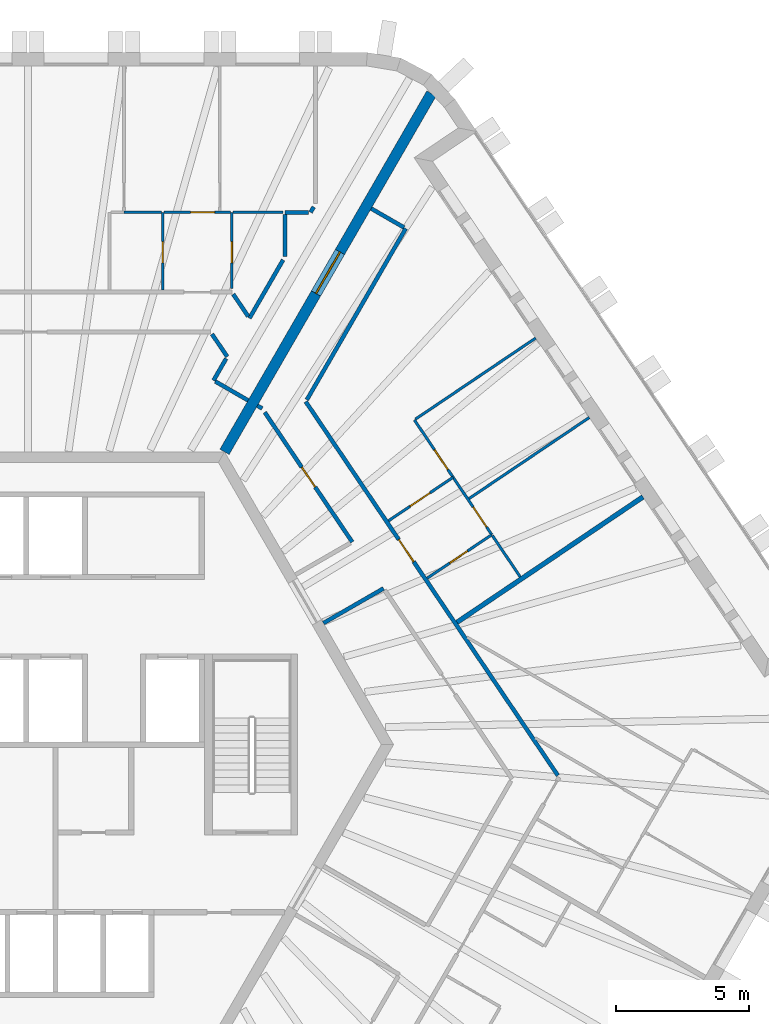
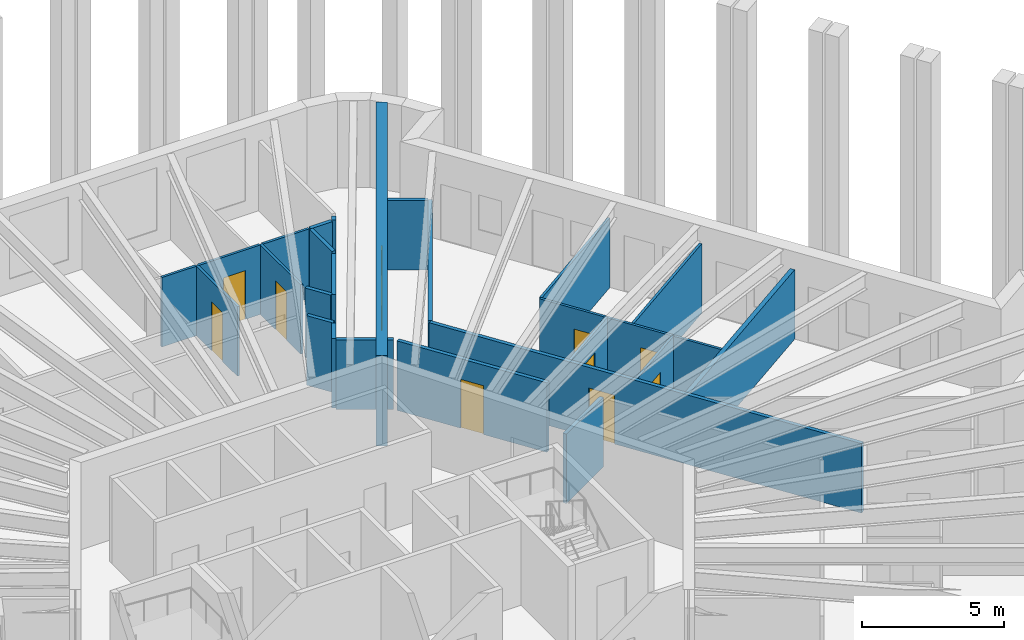
# One storey, part 10 of 13: 27 walls, 10 doors, 10 openings.
"""IFC4 building model written with IfcOpenShell, lengths in metres."""

from ifc_helpers import new_model, si_unit, direction, frame, frame_2d, origin, place, context, subcontext, project, spatial, rectangle, extrude, material, layer, layer_set, type_object, element, fill, save


model = new_model("IFC4")

# Units and contexts
model_context = context("Model", 3, precision=1e-05, world=origin(), true_north=direction((0.0, 1.0)))
body_context = subcontext(model_context, "Body", "Model", "MODEL_VIEW")
ifc_project = project(units=[si_unit("LENGTHUNIT", "METRE"), si_unit("AREAUNIT", "SQUARE_METRE"), si_unit("VOLUMEUNIT", "CUBIC_METRE"), si_unit("PLANEANGLEUNIT", "RADIAN"), si_unit("MASSUNIT", "GRAM", prefix="KILO")], contexts=[model_context])

# Site, building, storey
site_placement = place(None, origin())
site = spatial("IfcSite", under=ifc_project, at=site_placement, CompositionType="ELEMENT")
building_placement = place(site_placement, origin())
building = spatial("IfcBuilding", under=site, at=building_placement, Name="Tarnside Tower", CompositionType="ELEMENT")
storey_placement = place(building_placement, frame((0.0, 0.0, 267.89990234375)))
storey = spatial("IfcBuildingStorey", under=building, at=storey_placement, Name="L64", CompositionType="ELEMENT", Elevation=267.89990234375)

# Wall, opening, door
ifc_material_1 = material(Name="Gypsum board partition on steel studs", Category="steel")
ifc_layer_1 = layer(ifc_material_1, 0.10009765625)
ifc_layer_set_1 = layer_set([ifc_layer_1], Name="Bathroom wall 100")
wall_type_1 = type_object("IfcWallType", Name="Bathroom wall 100", PredefinedType="PARTITIONING", material=ifc_layer_set_1)
wall_1_placement = place(storey_placement, frame((4.026611328125, 20.0, 0.0), z_axis=(0.0, 0.0, 1.0), x_axis=(0.0, -1.0, 0.0)))
wall_1 = element("IfcWall", 1, at=wall_1_placement, inside=storey, type_object=wall_type_1, Name="Bathroom wall 21091", PredefinedType="PARTITIONING", context=body_context, shape_type="SweptSolid", body=[
    extrude(rectangle(XDim=2.925048828125, YDim=0.10009765625, at=frame_2d((1.46240234375, 0.0))), origin(), (0.0, 0.0, 1.0), 2.98779296875),
])
opening_1_placement = place(wall_1_placement, frame((1.10009765625, 0.0, 0.0)))
opening_1 = element("IfcOpeningElement", 2, at=opening_1_placement, cuts=wall_1, Name="Opening D-B1", PredefinedType="OPENING", context=body_context, shape_type="SweptSolid", body=[
    extrude(rectangle(XDim=0.800048828125, YDim=2.10009765625, at=frame_2d((0.39990234375, 1.050048828125))), frame((0.0, 0.06005859375, 0.0), z_axis=(0.0, -1.0, 0.0), x_axis=(1.0, 0.0, 0.0)), (0.0, 0.0, 1.0), 0.1201171875),
])
ifc_material_2 = material(Name="Timber door leaf", Category="wood")
door_type_1 = type_object("IfcDoorType", Name="Bathroom door 800", OperationType="NOTDEFINED", PredefinedType="DOOR", material=ifc_material_2)
door_1_placement = place(opening_1_placement, origin())
door_1 = element("IfcDoor", 3, at=door_1_placement, inside=storey, type_object=door_type_1, Name="Bathroom door 21002", OperationType="SINGLE_SWING_LEFT", OverallHeight=2.10009765625, OverallWidth=0.800048828125, PredefinedType="DOOR", context=body_context, shape_type="SweptSolid", body=[
    extrude(rectangle(XDim=0.800048828125, YDim=2.10009765625, at=frame_2d((0.39990234375, 1.050048828125))), frame((0.0, 0.02490234375, 0.0), z_axis=(0.0, -1.0, 0.0), x_axis=(1.0, 0.0, 0.0)), (0.0, 0.0, 1.0), 0.050048828125),
])
fill(opening_1, door_1)

wall_2_placement = place(storey_placement, frame((6.626708984375, 17.134033203125, 0.0), z_axis=(0.0, 0.0, 1.0), x_axis=(0.0, 1.0, 0.0)))
wall_2 = element("IfcWall", 4, at=wall_2_placement, inside=storey, type_object=wall_type_1, Name="Bathroom wall 21094", PredefinedType="PARTITIONING", context=body_context, shape_type="SweptSolid", body=[
    extrude(rectangle(XDim=2.865966796875, YDim=0.10009765625, at=frame_2d((1.43310546875, 0.0))), origin(), (0.0, 0.0, 1.0), 2.98779296875),
])
opening_2_placement = place(wall_2_placement, frame((0.9658203125, 0.0, 0.0)))
opening_2 = element("IfcOpeningElement", 5, at=opening_2_placement, cuts=wall_2, Name="Opening D-B1", PredefinedType="OPENING", context=body_context, shape_type="SweptSolid", body=[
    extrude(rectangle(XDim=0.800048828125, YDim=2.10009765625, at=frame_2d((0.39990234375, 1.050048828125))), frame((0.0, 0.06005859375, 0.0), z_axis=(0.0, -1.0, 0.0), x_axis=(1.0, 0.0, 0.0)), (0.0, 0.0, 1.0), 0.1201171875),
])
door_2_placement = place(opening_2_placement, origin())
door_2 = element("IfcDoor", 6, at=door_2_placement, inside=storey, type_object=door_type_1, Name="Bathroom door 21011", OperationType="SINGLE_SWING_RIGHT", OverallHeight=2.10009765625, OverallWidth=0.800048828125, PredefinedType="DOOR", context=body_context, shape_type="SweptSolid", body=[
    extrude(rectangle(XDim=0.800048828125, YDim=2.10009765625, at=frame_2d((0.39990234375, 1.050048828125))), frame((0.0, 0.02490234375, 0.0), z_axis=(0.0, -1.0, 0.0), x_axis=(1.0, 0.0, 0.0)), (0.0, 0.0, 1.0), 0.050048828125),
])
fill(opening_2, door_2)

# Walls
wall_3_placement = place(storey_placement, frame((3.978515625, 20.0, 0.0), z_axis=(0.0, 0.0, 1.0), x_axis=(-1.0, 0.0, 0.0)))
element("IfcWall", 7, at=wall_3_placement, inside=storey, type_object=wall_type_1, Name="Bathroom wall 21095", PredefinedType="PARTITIONING", context=body_context, shape_type="SweptSolid", body=[
    extrude(rectangle(XDim=1.4033203125, YDim=0.10009765625, at=frame_2d((0.70166015625, 0.0))), origin(), (0.0, 0.0, 1.0), 2.98779296875),
])
wall_4_placement = place(storey_placement, frame((6.676513671875, 20.0, 0.0), z_axis=(0.0, 0.0, 1.0), x_axis=(1.0, 0.0, 0.0)))
element("IfcWall", 8, at=wall_4_placement, inside=storey, type_object=wall_type_1, Name="Bathroom wall 21097", PredefinedType="PARTITIONING", context=body_context, shape_type="SweptSolid", body=[
    extrude(rectangle(XDim=1.875, YDim=0.10009765625, at=frame_2d((0.9375, 0.0))), origin(), (0.0, 0.0, 1.0), 2.98779296875),
])

# Wall, opening, door
wall_5_placement = place(storey_placement, frame((13.965576171875, 6.25390625, 0.0), z_axis=(0.0, 0.0, 1.0), x_axis=(0.829046031219, 0.559180362781, 0.0)))
wall_5 = element("IfcWall", 9, at=wall_5_placement, inside=storey, type_object=wall_type_1, Name="Bathroom wall 21174", PredefinedType="PARTITIONING", context=body_context, shape_type="SweptSolid", body=[
    extrude(rectangle(XDim=2.9248046875, YDim=0.10009765625, at=frame_2d((1.46240234375, 0.0))), origin(), (0.0, 0.0, 1.0), 2.98779296875),
])
opening_3_placement = place(wall_5_placement, frame((1.02490234375, 0.0, 0.0)))
opening_3 = element("IfcOpeningElement", 10, at=opening_3_placement, cuts=wall_5, Name="Opening D-B1", PredefinedType="OPENING", context=body_context, shape_type="SweptSolid", body=[
    extrude(rectangle(XDim=0.800048828125, YDim=2.10009765625, at=frame_2d((0.39990234375, 1.050048828125))), frame((0.0, 0.06005859375, 0.0), z_axis=(0.0, -1.0, 0.0), x_axis=(1.0, 0.0, 0.0)), (0.0, 0.0, 1.0), 0.1201171875),
])
door_3_placement = place(opening_3_placement, origin())
door_3 = element("IfcDoor", 11, at=door_3_placement, inside=storey, type_object=door_type_1, Name="Bathroom door 21064", OperationType="SINGLE_SWING_RIGHT", OverallHeight=2.10009765625, OverallWidth=0.800048828125, PredefinedType="DOOR", context=body_context, shape_type="SweptSolid", body=[
    extrude(rectangle(XDim=0.800048828125, YDim=2.10009765625, at=frame_2d((0.39990234375, 1.050048828125))), frame((0.0, 0.02490234375, 0.0), z_axis=(0.0, -1.0, 0.0), x_axis=(1.0, 0.0, 0.0)), (0.0, 0.0, 1.0), 0.050048828125),
])
fill(opening_3, door_3)

# Wall
wall_6_placement = place(storey_placement, frame((17.45849609375, 6.305908203125, 0.0), z_axis=(0.0, 0.0, 1.0), x_axis=(-0.559200351269, 0.829032548903, 0.0)))
element("IfcWall", 12, at=wall_6_placement, inside=storey, type_object=wall_type_1, Name="Bathroom wall 21177", PredefinedType="PARTITIONING", context=body_context, shape_type="SweptSolid", body=[
    extrude(rectangle(XDim=1.862060546875, YDim=0.10009765625, at=frame_2d((0.93115234375, 0.0))), origin(), (0.0, 0.0, 1.0), 2.98779296875),
])

# Wall, opening, door
ifc_material_3 = material(Name="Concrete C60/75", Category="concrete")
ifc_layer_2 = layer(ifc_material_3, 0.39990234375)
ifc_layer_set_2 = layer_set([ifc_layer_2], Name="Core wall Z3 400 C60/75")
wall_type_2 = type_object("IfcWallType", Name="Core wall Z3 400 C60/75", PredefinedType="SHEAR", material=ifc_layer_set_2)
wall_7_placement = place(storey_placement, frame((6.350830078125, 11.0, -0.14990234375), z_axis=(0.0, 0.0, 1.0), x_axis=(0.499998894578, 0.866026041999, 0.0)))
wall_7 = element("IfcWall", 13, at=wall_7_placement, inside=storey, type_object=wall_type_2, Name="L64 spine wall 1", PredefinedType="SHEAR", context=body_context, shape_type="SweptSolid", body=[
    extrude(rectangle(XDim=15.54443359375, YDim=0.39990234375, at=frame_2d((7.772216796875, 0.0))), origin(), (0.0, 0.0, 1.0), 3.89990234375),
])
opening_4_placement = place(wall_7_placement, frame((6.872314453125, 0.0, 0.14990234375)))
opening_4 = element("IfcOpeningElement", 14, at=opening_4_placement, cuts=wall_7, Name="Opening CD-SPN", PredefinedType="OPENING", context=body_context, shape_type="SweptSolid", body=[
    extrude(rectangle(XDim=1.800048828125, YDim=2.39990234375, at=frame_2d((0.89990234375, 1.199951171875))), frame((0.0, 0.2099609375, 0.0), z_axis=(0.0, -1.0, 0.0), x_axis=(1.0, 0.0, 0.0)), (0.0, 0.0, 1.0), 0.419921875),
])
ifc_material_4 = material(Name="Steel fire door", Category="steel")
door_type_2 = type_object("IfcDoorType", Name="Spine passage double door FD60 1800x2400", OperationType="NOTDEFINED", PredefinedType="DOOR", material=ifc_material_4)
door_4_placement = place(opening_4_placement, origin())
door_4 = element("IfcDoor", 15, at=door_4_placement, inside=storey, type_object=door_type_2, Name="L64 spine passage door 1", OperationType="DOUBLE_DOOR_SINGLE_SWING", OverallHeight=2.39990234375, OverallWidth=1.800048828125, PredefinedType="DOOR", context=body_context, shape_type="SweptSolid", body=[
    extrude(rectangle(XDim=1.800048828125, YDim=2.39990234375, at=frame_2d((0.89990234375, 1.199951171875))), frame((0.0, 0.02490234375, 0.0), z_axis=(0.0, -1.0, 0.0), x_axis=(1.0, 0.0, 0.0)), (0.0, 0.0, 1.0), 0.050048828125),
])
fill(opening_4, door_4)

# Walls
ifc_layer_3 = layer(ifc_material_1, 0.14990234375)
ifc_layer_set_3 = layer_set([ifc_layer_3], Name="Corridor wall 150 EI 60")
wall_type_3 = type_object("IfcWallType", Name="Corridor wall 150 EI 60", PredefinedType="PARTITIONING", material=ifc_layer_set_3)
wall_8_placement = place(storey_placement, frame((9.7001953125, 20.201171875, 0.0), z_axis=(0.0, 0.0, 1.0), x_axis=(-0.500207565094, -0.865905532852, 0.0)))
element("IfcWall", 16, at=wall_8_placement, inside=storey, type_object=wall_type_3, Name="Corridor wall 21005", PredefinedType="PARTITIONING", context=body_context, shape_type="SweptSolid", body=[
    extrude(rectangle(XDim=0.232421875, YDim=0.14990234375, at=frame_2d((0.1162109375, 0.0))), origin(), (0.0, 0.0, 1.0), 2.98779296875),
])
wall_9_placement = place(storey_placement, frame((9.497314453125, 20.0, 0.0), z_axis=(0.0, 0.0, 1.0), x_axis=(-1.0, 0.0, 0.0)))
element("IfcWall", 17, at=wall_9_placement, inside=storey, type_object=wall_type_3, Name="Corridor wall 21006", PredefinedType="PARTITIONING", context=body_context, shape_type="SweptSolid", body=[
    extrude(rectangle(XDim=0.874267578125, YDim=0.14990234375, at=frame_2d((0.43701171875, 0.0))), origin(), (0.0, 0.0, 1.0), 2.98779296875),
])
wall_10_placement = place(storey_placement, frame((8.626708984375, 19.925048828125, 0.0), z_axis=(0.0, 0.0, 1.0), x_axis=(0.0, -1.0, 0.0)))
element("IfcWall", 18, at=wall_10_placement, inside=storey, type_object=wall_type_3, Name="Corridor wall 21007", PredefinedType="PARTITIONING", context=body_context, shape_type="SweptSolid", body=[
    extrude(rectangle(XDim=1.583251953125, YDim=0.14990234375, at=frame_2d((0.79150390625, 0.0))), origin(), (0.0, 0.0, 1.0), 2.98779296875),
])
wall_11_placement = place(storey_placement, frame((8.551513671875, 18.2119140625, 0.0), z_axis=(0.0, 0.0, 1.0), x_axis=(-0.499959175164, -0.866048972731, 0.0)))
element("IfcWall", 19, at=wall_11_placement, inside=storey, type_object=wall_type_3, Name="Corridor wall 21008", PredefinedType="PARTITIONING", context=body_context, shape_type="SweptSolid", body=[
    extrude(rectangle(XDim=2.529541015625, YDim=0.14990234375, at=frame_2d((1.2646484375, 0.0))), origin(), (0.0, 0.0, 1.0), 2.98779296875),
])
wall_12_placement = place(storey_placement, frame((7.240234375, 16.09033203125, 0.0), z_axis=(0.0, 0.0, 1.0), x_axis=(-0.55916880098, 0.82905382938, 0.0)))
element("IfcWall", 20, at=wall_12_placement, inside=storey, type_object=wall_type_3, Name="Corridor wall 21009", PredefinedType="PARTITIONING", context=body_context, shape_type="SweptSolid", body=[
    extrude(rectangle(XDim=1.0068359375, YDim=0.14990234375, at=frame_2d((0.50341796875, 0.0))), origin(), (0.0, 0.0, 1.0), 2.98779296875),
])
wall_13_placement = place(storey_placement, frame((5.879638671875, 15.425048828125, 0.0), z_axis=(0.0, 0.0, 1.0), x_axis=(0.559202631314, -0.829031010959, 0.0)))
element("IfcWall", 21, at=wall_13_placement, inside=storey, type_object=wall_type_3, Name="Corridor wall 21023", PredefinedType="PARTITIONING", context=body_context, shape_type="SweptSolid", body=[
    extrude(rectangle(XDim=1.024169921875, YDim=0.14990234375, at=frame_2d((0.51220703125, 0.0))), origin(), (0.0, 0.0, 1.0), 2.98779296875),
])
wall_14_placement = place(storey_placement, frame((6.41064453125, 14.503662109375, 0.0), z_axis=(0.0, 0.0, 1.0), x_axis=(-0.499998034377, -0.866026538634, 0.0)))
element("IfcWall", 22, at=wall_14_placement, inside=storey, type_object=wall_type_3, Name="Corridor wall 21024", PredefinedType="PARTITIONING", context=body_context, shape_type="SweptSolid", body=[
    extrude(rectangle(XDim=0.94580078125, YDim=0.14990234375, at=frame_2d((0.472900390625, 0.0))), origin(), (0.0, 0.0, 1.0), 2.98779296875),
])
wall_15_placement = place(storey_placement, frame((6.002685546875, 13.647216796875, 0.0), z_axis=(0.0, 0.0, 1.0), x_axis=(0.865988727248, -0.500063520245, 0.0)))
element("IfcWall", 23, at=wall_15_placement, inside=storey, type_object=wall_type_3, Name="Corridor wall 21025", PredefinedType="PARTITIONING", context=body_context, shape_type="SweptSolid", body=[
    extrude(rectangle(XDim=1.425048828125, YDim=0.14990234375, at=frame_2d((0.71240234375, 0.0))), origin(), (0.0, 0.0, 1.0), 2.98779296875),
])

# Wall, opening, door
wall_16_placement = place(storey_placement, frame((18.87451171875, -1.158203125, 0.0), z_axis=(0.0, 0.0, 1.0), x_axis=(-0.55919880344, 0.829033592945, 0.0)))
wall_16 = element("IfcWall", 24, at=wall_16_placement, inside=storey, type_object=wall_type_3, Name="Corridor wall 21064", PredefinedType="PARTITIONING", context=body_context, shape_type="SweptSolid", body=[
    extrude(rectangle(XDim=16.939208984375, YDim=0.14990234375, at=frame_2d((8.4697265625, 0.0))), origin(), (0.0, 0.0, 1.0), 2.98779296875),
])
opening_5_placement = place(wall_16_placement, frame((9.690185546875, 0.0, 0.0)))
opening_5 = element("IfcOpeningElement", 25, at=opening_5_placement, cuts=wall_16, Name="Opening D-E1", PredefinedType="OPENING", context=body_context, shape_type="SweptSolid", body=[
    extrude(rectangle(XDim=1.0, YDim=2.10009765625, at=frame_2d((0.5, 1.050048828125))), frame((0.0, 0.0849609375, 0.0), z_axis=(0.0, -1.0, 0.0), x_axis=(1.0, 0.0, 0.0)), (0.0, 0.0, 1.0), 0.169921875),
])
door_type_3 = type_object("IfcDoorType", Name="Unit entrance door 1000 FD30S", OperationType="NOTDEFINED", PredefinedType="DOOR", material=ifc_material_2)
door_5_placement = place(opening_5_placement, origin())
door_5 = element("IfcDoor", 26, at=door_5_placement, inside=storey, type_object=door_type_3, Name="Unit door 21063", OperationType="SINGLE_SWING_RIGHT", OverallHeight=2.10009765625, OverallWidth=1.0, PredefinedType="DOOR", context=body_context, shape_type="SweptSolid", body=[
    extrude(rectangle(XDim=1.0, YDim=2.10009765625, at=frame_2d((0.5, 1.050048828125))), frame((0.0, 0.02490234375, 0.0), z_axis=(0.0, -1.0, 0.0), x_axis=(1.0, 0.0, 0.0)), (0.0, 0.0, 1.0), 0.050048828125),
])
fill(opening_5, door_5)

# Walls
wall_17_placement = place(storey_placement, frame((9.44384765625, 12.957275390625, 0.0), z_axis=(0.0, 0.0, 1.0), x_axis=(0.500004967958, 0.866022535513, 0.0)))
element("IfcWall", 27, at=wall_17_placement, inside=storey, type_object=wall_type_3, Name="Corridor wall 21070", PredefinedType="PARTITIONING", context=body_context, shape_type="SweptSolid", body=[
    extrude(rectangle(XDim=7.4306640625, YDim=0.14990234375, at=frame_2d((3.71533203125, 0.0))), origin(), (0.0, 0.0, 1.0), 2.98779296875),
])
wall_18_placement = place(storey_placement, frame((13.09423828125, 19.429931640625, 0.0), z_axis=(0.0, 0.0, 1.0), x_axis=(-0.866062911188, 0.499935029643, 0.0)))
element("IfcWall", 28, at=wall_18_placement, inside=storey, type_object=wall_type_3, Name="Corridor wall 21071", PredefinedType="PARTITIONING", context=body_context, shape_type="SweptSolid", body=[
    extrude(rectangle(XDim=1.425048828125, YDim=0.14990234375, at=frame_2d((0.71240234375, 0.0))), origin(), (0.0, 0.0, 1.0), 2.98779296875),
])
wall_19_placement = place(storey_placement, frame((10.065673828125, 4.565673828125, 0.0), z_axis=(0.0, 0.0, 1.0), x_axis=(0.866034402474, 0.499984413489, 0.0)))
element("IfcWall", 29, at=wall_19_placement, inside=storey, type_object=wall_type_3, Name="Corridor wall 21074", PredefinedType="PARTITIONING", context=body_context, shape_type="SweptSolid", body=[
    extrude(rectangle(XDim=2.6083984375, YDim=0.14990234375, at=frame_2d((1.30419921875, 0.0))), origin(), (0.0, 0.0, 1.0), 2.98779296875),
])
wall_20_placement = place(storey_placement, frame((7.583251953125, 12.734619140625, 0.0), z_axis=(0.0, 0.0, 1.0), x_axis=(0.866088799389, -0.499890179513, 0.0)))
element("IfcWall", 30, at=wall_20_placement, inside=storey, type_object=wall_type_3, Name="Corridor wall 21083", PredefinedType="PARTITIONING", context=body_context, shape_type="SweptSolid", body=[
    extrude(rectangle(XDim=0.2099609375, YDim=0.14990234375, at=frame_2d((0.10498046875, 0.0))), origin(), (0.0, 0.0, 1.0), 2.98779296875),
])

# Wall, opening, door
wall_21_placement = place(storey_placement, frame((7.86083984375, 12.48779296875, 0.0), z_axis=(0.0, 0.0, 1.0), x_axis=(0.559178186788, -0.829047498893, 0.0)))
wall_21 = element("IfcWall", 31, at=wall_21_placement, inside=storey, type_object=wall_type_3, Name="Corridor wall 21084", PredefinedType="PARTITIONING", context=body_context, shape_type="SweptSolid", body=[
    extrude(rectangle(XDim=5.877685546875, YDim=0.14990234375, at=frame_2d((2.93896484375, 0.0))), origin(), (0.0, 0.0, 1.0), 2.98779296875),
])
opening_6_placement = place(wall_21_placement, frame((2.48876953125, 0.0, 0.0)))
opening_6 = element("IfcOpeningElement", 32, at=opening_6_placement, cuts=wall_21, Name="Opening D-S1", PredefinedType="OPENING", context=body_context, shape_type="SweptSolid", body=[
    extrude(rectangle(XDim=0.89990234375, YDim=2.10009765625, at=frame_2d((0.449951171875, 1.050048828125))), frame((0.0, 0.0849609375, 0.0), z_axis=(0.0, -1.0, 0.0), x_axis=(1.0, 0.0, 0.0)), (0.0, 0.0, 1.0), 0.169921875),
])
door_type_4 = type_object("IfcDoorType", Name="Service room door 900 FD30S", OperationType="NOTDEFINED", PredefinedType="DOOR", material=ifc_material_2)
door_6_placement = place(opening_6_placement, origin())
door_6 = element("IfcDoor", 33, at=door_6_placement, inside=storey, type_object=door_type_4, Name="Service door 21075", OperationType="SINGLE_SWING_RIGHT", OverallHeight=2.10009765625, OverallWidth=0.89990234375, PredefinedType="DOOR", context=body_context, shape_type="SweptSolid", body=[
    extrude(rectangle(XDim=0.89990234375, YDim=2.10009765625, at=frame_2d((0.449951171875, 1.050048828125))), frame((0.0, 0.02490234375, 0.0), z_axis=(0.0, -1.0, 0.0), x_axis=(1.0, 0.0, 0.0)), (0.0, 0.0, 1.0), 0.050048828125),
])
fill(opening_6, door_6)

# Wall
ifc_layer_4 = layer(ifc_material_1, 0.179931640625)
ifc_layer_set_4 = layer_set([ifc_layer_4], Name="Demising wall 180 EI 60")
wall_type_4 = type_object("IfcWallType", Name="Demising wall 180 EI 60", PredefinedType="PARTITIONING", material=ifc_layer_set_4)
wall_22_placement = place(storey_placement, frame((22.068603515625, 9.306884765625, 0.0), z_axis=(0.0, 0.0, 1.0), x_axis=(-0.829046823816, -0.559179187668, 0.0)))
element("IfcWall", 34, at=wall_22_placement, inside=storey, type_object=wall_type_4, Name="Demising wall 21162", PredefinedType="PARTITIONING", context=body_context, shape_type="SweptSolid", body=[
    extrude(rectangle(XDim=8.42529296875, YDim=0.179931640625, at=frame_2d((4.212646484375, 0.0))), origin(), (0.0, 0.0, 1.0), 2.98779296875),
])

# Wall, opening, door
ifc_layer_5 = layer(ifc_material_1, 0.10009765625)
ifc_layer_set_5 = layer_set([ifc_layer_5], Name="Partition 100")
wall_type_5 = type_object("IfcWallType", Name="Partition 100", PredefinedType="PARTITIONING", material=ifc_layer_set_5)
wall_23_placement = place(storey_placement, frame((6.57861328125, 20.0, 0.0), z_axis=(0.0, 0.0, 1.0), x_axis=(-1.0, 0.0, 0.0)))
wall_23 = element("IfcWall", 35, at=wall_23_placement, inside=storey, type_object=wall_type_5, Name="Partition wall 21092", PredefinedType="PARTITIONING", context=body_context, shape_type="SweptSolid", body=[
    extrude(rectangle(XDim=2.50390625, YDim=0.10009765625, at=frame_2d((1.251953125, 0.0))), origin(), (0.0, 0.0, 1.0), 2.98779296875),
])
opening_7_placement = place(wall_23_placement, frame((0.603515625, 0.0, 0.0)))
opening_7 = element("IfcOpeningElement", 36, at=opening_7_placement, cuts=wall_23, Name="Opening D-I1", PredefinedType="OPENING", context=body_context, shape_type="SweptSolid", body=[
    extrude(rectangle(XDim=0.89990234375, YDim=2.10009765625, at=frame_2d((0.449951171875, 1.050048828125))), frame((0.0, 0.06005859375, 0.0), z_axis=(0.0, -1.0, 0.0), x_axis=(1.0, 0.0, 0.0)), (0.0, 0.0, 1.0), 0.1201171875),
])
door_type_5 = type_object("IfcDoorType", Name="Internal door 900", OperationType="NOTDEFINED", PredefinedType="DOOR", material=ifc_material_2)
door_7_placement = place(opening_7_placement, origin())
door_7 = element("IfcDoor", 37, at=door_7_placement, inside=storey, type_object=door_type_5, Name="Internal door 21005", OperationType="SINGLE_SWING_LEFT", OverallHeight=2.10009765625, OverallWidth=0.89990234375, PredefinedType="DOOR", context=body_context, shape_type="SweptSolid", body=[
    extrude(rectangle(XDim=0.89990234375, YDim=2.10009765625, at=frame_2d((0.449951171875, 1.050048828125))), frame((0.0, 0.02490234375, 0.0), z_axis=(0.0, -1.0, 0.0), x_axis=(1.0, 0.0, 0.0)), (0.0, 0.0, 1.0), 0.050048828125),
])
fill(opening_7, door_7)

wall_24_placement = place(storey_placement, frame((12.511474609375, 8.409423828125, 0.0), z_axis=(0.0, 0.0, 1.0), x_axis=(0.829072128826, 0.559141668278, 0.0)))
wall_24 = element("IfcWall", 38, at=wall_24_placement, inside=storey, type_object=wall_type_5, Name="Partition wall 21171", PredefinedType="PARTITIONING", context=body_context, shape_type="SweptSolid", body=[
    extrude(rectangle(XDim=2.925048828125, YDim=0.10009765625, at=frame_2d((1.46240234375, 0.0))), origin(), (0.0, 0.0, 1.0), 2.98779296875),
])
opening_8_placement = place(wall_24_placement, frame((0.97509765625, 0.0, 0.0)))
opening_8 = element("IfcOpeningElement", 39, at=opening_8_placement, cuts=wall_24, Name="Opening D-I1", PredefinedType="OPENING", context=body_context, shape_type="SweptSolid", body=[
    extrude(rectangle(XDim=0.89990234375, YDim=2.10009765625, at=frame_2d((0.449951171875, 1.050048828125))), frame((0.0, 0.06005859375, 0.0), z_axis=(0.0, -1.0, 0.0), x_axis=(1.0, 0.0, 0.0)), (0.0, 0.0, 1.0), 0.1201171875),
])
door_8_placement = place(opening_8_placement, origin())
door_8 = element("IfcDoor", 40, at=door_8_placement, inside=storey, type_object=door_type_5, Name="Internal door 21065", OperationType="SINGLE_SWING_RIGHT", OverallHeight=2.10009765625, OverallWidth=0.89990234375, PredefinedType="DOOR", context=body_context, shape_type="SweptSolid", body=[
    extrude(rectangle(XDim=0.89990234375, YDim=2.10009765625, at=frame_2d((0.449951171875, 1.050048828125))), frame((0.0, 0.02490234375, 0.0), z_axis=(0.0, -1.0, 0.0), x_axis=(1.0, 0.0, 0.0)), (0.0, 0.0, 1.0), 0.050048828125),
])
fill(opening_8, door_8)

# Wall, openings, doors
wall_25_placement = place(storey_placement, frame((16.3916015625, 7.887939453125, 0.0), z_axis=(0.0, 0.0, 1.0), x_axis=(-0.559208437152, 0.829027094743, 0.0)))
wall_25 = element("IfcWall", 41, at=wall_25_placement, inside=storey, type_object=wall_type_5, Name="Partition wall 21172", PredefinedType="PARTITIONING", context=body_context, shape_type="SweptSolid", body=[
    extrude(rectangle(XDim=5.201904296875, YDim=0.10009765625, at=frame_2d((2.60107421875, 0.0))), origin(), (0.0, 0.0, 1.0), 2.98779296875),
])
opening_9_placement = place(wall_25_placement, frame((0.35205078125, 0.0, 0.0)))
opening_9 = element("IfcOpeningElement", 42, at=opening_9_placement, cuts=wall_25, Name="Opening D-I1", PredefinedType="OPENING", context=body_context, shape_type="SweptSolid", body=[
    extrude(rectangle(XDim=0.89990234375, YDim=2.10009765625, at=frame_2d((0.449951171875, 1.050048828125))), frame((0.0, 0.06005859375, 0.0), z_axis=(0.0, -1.0, 0.0), x_axis=(1.0, 0.0, 0.0)), (0.0, 0.0, 1.0), 0.1201171875),
])
opening_10_placement = place(wall_25_placement, frame((2.951904296875, 0.0, 0.0)))
opening_10 = element("IfcOpeningElement", 43, at=opening_10_placement, cuts=wall_25, Name="Opening D-I1", PredefinedType="OPENING", context=body_context, shape_type="SweptSolid", body=[
    extrude(rectangle(XDim=0.89990234375, YDim=2.10009765625, at=frame_2d((0.449951171875, 1.050048828125))), frame((0.0, 0.06005859375, 0.0), z_axis=(0.0, -1.0, 0.0), x_axis=(1.0, 0.0, 0.0)), (0.0, 0.0, 1.0), 0.1201171875),
])
door_9_placement = place(opening_9_placement, origin())
door_9 = element("IfcDoor", 44, at=door_9_placement, inside=storey, type_object=door_type_5, Name="Internal door 21066", OperationType="SINGLE_SWING_LEFT", OverallHeight=2.10009765625, OverallWidth=0.89990234375, PredefinedType="DOOR", context=body_context, shape_type="SweptSolid", body=[
    extrude(rectangle(XDim=0.89990234375, YDim=2.10009765625, at=frame_2d((0.449951171875, 1.050048828125))), frame((0.0, 0.02490234375, 0.0), z_axis=(0.0, -1.0, 0.0), x_axis=(1.0, 0.0, 0.0)), (0.0, 0.0, 1.0), 0.050048828125),
])
fill(opening_9, door_9)
door_10_placement = place(opening_10_placement, origin())
door_10 = element("IfcDoor", 45, at=door_10_placement, inside=storey, type_object=door_type_5, Name="Internal door 21067", OperationType="SINGLE_SWING_RIGHT", OverallHeight=2.10009765625, OverallWidth=0.89990234375, PredefinedType="DOOR", context=body_context, shape_type="SweptSolid", body=[
    extrude(rectangle(XDim=0.89990234375, YDim=2.10009765625, at=frame_2d((0.449951171875, 1.050048828125))), frame((0.0, 0.02490234375, 0.0), z_axis=(0.0, -1.0, 0.0), x_axis=(1.0, 0.0, 0.0)), (0.0, 0.0, 1.0), 0.050048828125),
])
fill(opening_10, door_10)

# Walls
for number, where, z_axis, x_axis, name in (
    (46, (13.524169921875, 12.228515625, 0.0), (0.0, 0.0, 1.0), (0.829026245862, 0.559209695617, 0.0), "Partition wall 21173"),
    (47, (20.055419921875, 12.29150390625, 0.0), (0.0, 0.0, 1.0), (-0.829040254016, -0.559188928021, 0.0), "Partition wall 21178"),
):
    element("IfcWall", number, at=place(storey_placement, frame(where, z_axis=z_axis, x_axis=x_axis)), inside=storey, type_object=wall_type_5, Name=name, PredefinedType="PARTITIONING", context=body_context, shape_type="SweptSolid", body=[
        extrude(rectangle(XDim=5.449951171875, YDim=0.10009765625, at=frame_2d((2.72509765625, 0.0))), origin(), (0.0, 0.0, 1.0), 2.98779296875),
    ])

save(model, "model.ifc")
